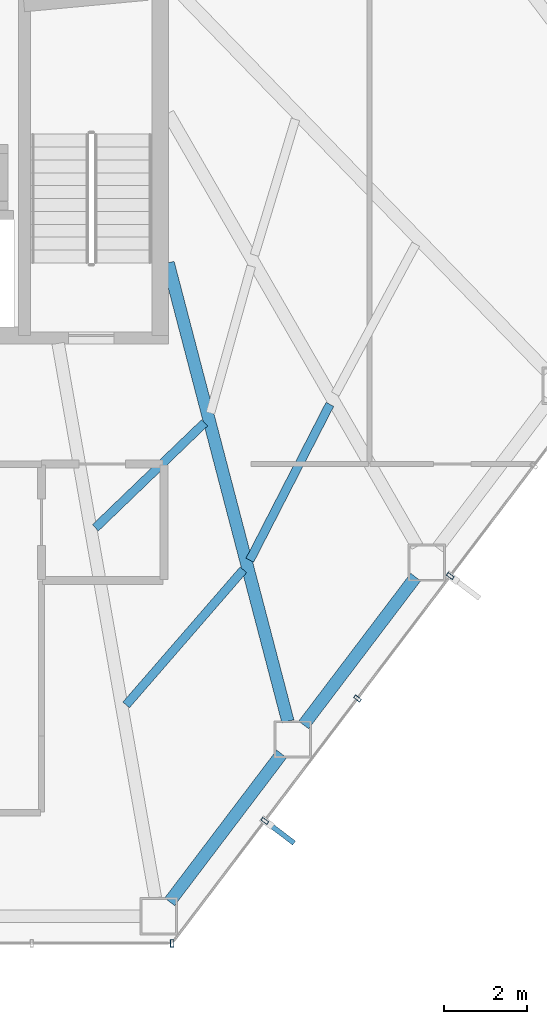
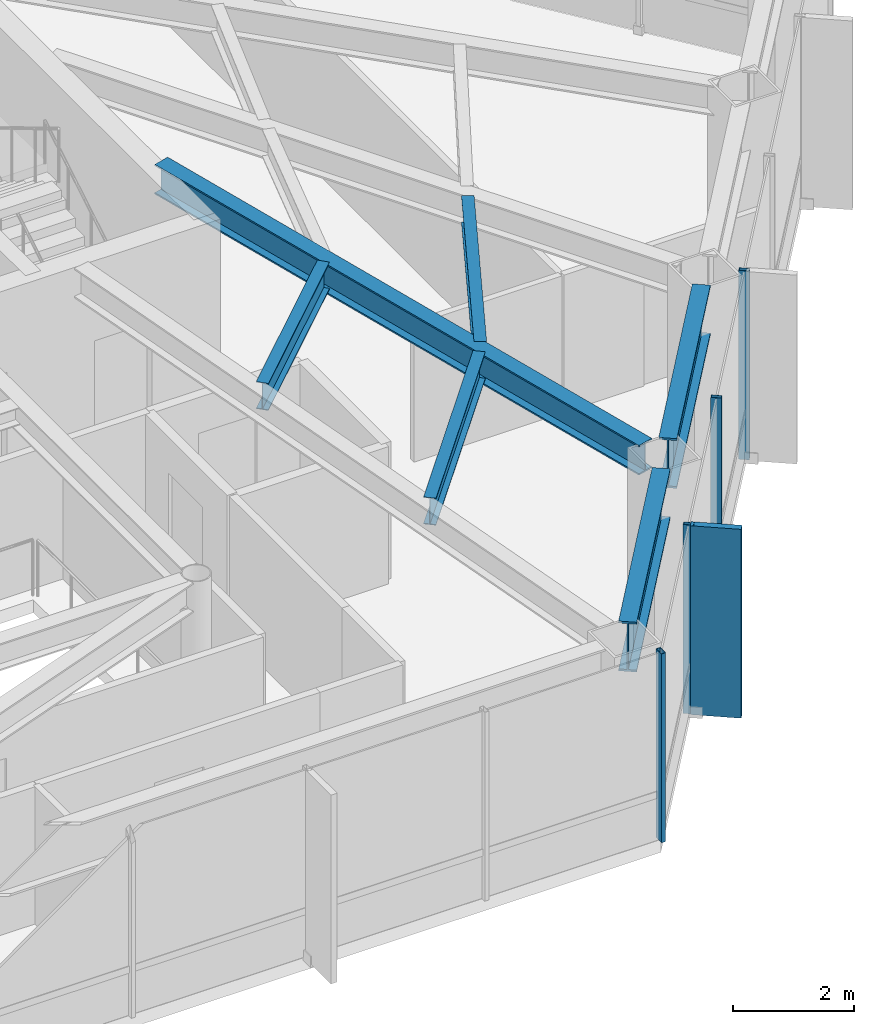
# One storey, part 14 of 24: 6 beams, 5 members, 2 elements without a shape of their own.
"""IFC4 building model written with IfcOpenShell, lengths in metres."""

from ifc_helpers import new_model, si_unit, direction, frame, origin, origin_2d, place, context, subcontext, project, spatial, rectangle, hollow_rectangle, i_section, extrude, material, layer, layer_set, material_profile, profile_set, type_object, element, aggregate, save


model = new_model("IFC4")

# Units and contexts
model_context = context("Model", 3, precision=1e-05, world=origin(), true_north=direction((0.0, 1.0)))
body_context = subcontext(model_context, "Body", "Model", "MODEL_VIEW")
ifc_project = project(units=[si_unit("LENGTHUNIT", "METRE"), si_unit("AREAUNIT", "SQUARE_METRE"), si_unit("VOLUMEUNIT", "CUBIC_METRE"), si_unit("PLANEANGLEUNIT", "RADIAN"), si_unit("MASSUNIT", "GRAM", prefix="KILO")], contexts=[model_context])

# Site, building, storey
site_placement = place(None, origin())
site = spatial("IfcSite", under=ifc_project, at=site_placement, CompositionType="ELEMENT")
building_placement = place(site_placement, origin())
building = spatial("IfcBuilding", under=site, at=building_placement, Name="Zarrinselat Tower", CompositionType="ELEMENT")
storey_placement = place(building_placement, frame((0.0, 0.0, 72.419921875)))
storey = spatial("IfcBuildingStorey", under=building, at=storey_placement, Name="L17", CompositionType="ELEMENT", Elevation=72.419921875)

# Beams
ifc_material_1 = material(Name="Steel S355J2", Category="steel")
ifc_material_profile_1 = material_profile(ifc_material_1, i_section(OverallWidth=0.300048828125, OverallDepth=0.60009765625, WebThickness=0.015380859375, FlangeThickness=0.030029296875, at=origin_2d()), Name="HEB 600")
ifc_profile_set_1 = profile_set([ifc_material_profile_1], Name="Steel S355J2")
beam_type_1 = type_object("IfcBeamType", Name="BM-HEB600", PredefinedType="BEAM", material=ifc_profile_set_1)
beam_1_placement = place(storey_placement, frame((48.449951171875, 35.0, 3.52001953125), z_axis=(0.252821432192, -0.967512957755, 0.0), x_axis=(0.967512957755, 0.252821432192, 0.0)))
element("IfcBeam", 1, at=beam_1_placement, inside=storey, type_object=beam_type_1, Name="L17 Radial Primary Girder RG12", PredefinedType="BEAM", context=body_context, shape_type="SweptSolid", body=[
    extrude(i_section(OverallWidth=0.300048828125, OverallDepth=0.60009765625, WebThickness=0.015380859375, FlangeThickness=0.030029296875, at=origin_2d()), origin(), (0.0, 0.0, 1.0), 11.4169921875),
])
ifc_material_2 = material(Name="Steel S460M", Category="steel")
ifc_material_profile_2 = material_profile(ifc_material_2, i_section(OverallWidth=0.302001953125, OverallDepth=1.008056640625, WebThickness=0.02099609375, FlangeThickness=0.0400390625, at=origin_2d()), Name="HEM 1000")
ifc_profile_set_2 = profile_set([ifc_material_profile_2], Name="Steel S460M")
beam_type_2 = type_object("IfcBeamType", Name="BM-HEM1000", PredefinedType="BEAM", material=ifc_profile_set_2)
beam_2_placement = place(storey_placement, frame((48.48681640625, 19.60400390625, 3.316162109375), z_axis=(0.603837710375, 0.797107282321, 0.0), x_axis=(-0.797107282321, 0.603837710375, 0.0)))
element("IfcBeam", 2, at=beam_2_placement, inside=storey, type_object=beam_type_2, Name="L17 Perimeter Spandrel Girder SP11", PredefinedType="BEAM", context=body_context, shape_type="SweptSolid", body=[
    extrude(i_section(OverallWidth=0.302001953125, OverallDepth=1.008056640625, WebThickness=0.02099609375, FlangeThickness=0.0400390625, at=origin_2d()), origin(), (0.0, 0.0, 1.0), 4.470458984375),
])
beam_3_placement = place(storey_placement, frame((51.715087890625, 23.86572265625, 3.316162109375), z_axis=(0.60387240762, 0.79708099671, 0.0), x_axis=(-0.79708099671, 0.60387240762, 0.0)))
element("IfcBeam", 3, at=beam_3_placement, inside=storey, type_object=beam_type_2, Name="L17 Perimeter Spandrel Girder SP12", PredefinedType="BEAM", context=body_context, shape_type="SweptSolid", body=[
    extrude(i_section(OverallWidth=0.302001953125, OverallDepth=1.008056640625, WebThickness=0.02099609375, FlangeThickness=0.0400390625, at=origin_2d()), origin(), (0.0, 0.0, 1.0), 4.470703125),
])
ifc_material_3 = material(Name="Steel S355J2", Category="steel")
ifc_material_profile_3 = material_profile(ifc_material_3, i_section(OverallWidth=0.2099609375, OverallDepth=0.550048828125, WebThickness=0.010986328125, FlangeThickness=0.01708984375, at=origin_2d()), Name="IPE 550")
ifc_profile_set_3 = profile_set([ifc_material_profile_3], Name="Steel S355J2")
beam_type_3 = type_object("IfcBeamType", Name="BM-IPE550", PredefinedType="JOIST", material=ifc_profile_set_3)
beam_4_placement = place(storey_placement, frame((47.43896484375, 24.34814453125, 3.545166015625), z_axis=(0.655286303374, 0.755380606457, 0.0), x_axis=(-0.755380606457, 0.655286303374, 0.0)))
element("IfcBeam", 4, at=beam_4_placement, inside=storey, type_object=beam_type_3, Name="L17 Composite Floor Joist 3-1", PredefinedType="JOIST", context=body_context, shape_type="SweptSolid", body=[
    extrude(i_section(OverallWidth=0.2099609375, OverallDepth=0.550048828125, WebThickness=0.010986328125, FlangeThickness=0.01708984375, at=origin_2d()), origin(), (0.0, 0.0, 1.0), 4.309814453125),
])
beam_5_placement = place(storey_placement, frame((46.697998046875, 28.61474609375, 3.545166015625), z_axis=(0.720675078689, 0.693272984442, 0.0), x_axis=(-0.693272984442, 0.720675078689, 0.0)))
element("IfcBeam", 5, at=beam_5_placement, inside=storey, type_object=beam_type_3, Name="L17 Composite Floor Joist 3-2", PredefinedType="JOIST", context=body_context, shape_type="SweptSolid", body=[
    extrude(i_section(OverallWidth=0.2099609375, OverallDepth=0.550048828125, WebThickness=0.010986328125, FlangeThickness=0.01708984375, at=origin_2d()), origin(), (0.0, 0.0, 1.0), 3.65283203125),
])
beam_6_placement = place(storey_placement, frame((50.4189453125, 27.833984375, 3.545166015625), z_axis=(0.456782434054, 0.889578443949, 0.0), x_axis=(-0.889578443949, 0.456782434054, 0.0)))
element("IfcBeam", 6, at=beam_6_placement, inside=storey, type_object=beam_type_3, Name="L17 Composite Floor Joist 4-1", PredefinedType="JOIST", context=body_context, shape_type="SweptSolid", body=[
    extrude(i_section(OverallWidth=0.2099609375, OverallDepth=0.550048828125, WebThickness=0.010986328125, FlangeThickness=0.01708984375, at=origin_2d()), origin(), (0.0, 0.0, 1.0), 4.223876953125),
])

# Curtain wall, member
ifc_material_4 = material(Name="Extruded Aluminium Alloy EN AW-6063 T6", Category="aluminium")
ifc_layer = layer(ifc_material_4, 0.18505859375)
ifc_layer_set = layer_set([ifc_layer], Name="Extruded Aluminium Alloy EN AW-6063 T6")
curtain_wall_type = type_object("IfcCurtainWallType", Name="CWS-OFF", PredefinedType="NOTDEFINED", material=ifc_layer_set)
curtain_wall_1_placement = place(storey_placement, origin())
curtain_wall_1 = element("IfcCurtainWall", 7, at=curtain_wall_1_placement, inside=storey, type_object=curtain_wall_type, Name="L17 Unitised Curtain Wall CW-L17-E04", PredefinedType="NOTDEFINED")
ifc_material_5 = material(Name="Extruded Aluminium Alloy EN AW-6063 T6", Category="aluminium")
ifc_material_profile_4 = material_profile(ifc_material_5, hollow_rectangle(XDim=0.080078125, YDim=0.179931640625, WallThickness=0.0048828125, at=origin_2d()), Name="RHS 180x80x5")
ifc_profile_set_4 = profile_set([ifc_material_profile_4], Name="Extruded Aluminium Alloy EN AW-6063 T6")
member_type_1 = type_object("IfcMemberType", Name="MEM-CW-MUL", PredefinedType="MULLION", material=ifc_profile_set_4)
member_1_placement = place(storey_placement, frame((48.545166015625, 18.60498046875, 0.0), z_axis=(0.0, 0.0, 1.0), x_axis=(1.0, 0.0, 0.0)))
member_1 = element("IfcMember", 8, at=member_1_placement, type_object=member_type_1, Name="CW-L17-E04 Mullion 7", PredefinedType="MULLION", context=body_context, shape_type="SweptSolid", body=[
    extrude(hollow_rectangle(XDim=0.080078125, YDim=0.179931640625, WallThickness=0.0048828125, at=origin_2d()), origin(), (0.0, 0.0, 1.0), 3.820068359375),
])
aggregate(curtain_wall_1, [member_1])

# Curtain wall, members
curtain_wall_2_placement = place(storey_placement, origin())
curtain_wall_2 = element("IfcCurtainWall", 9, at=curtain_wall_2_placement, inside=storey, type_object=curtain_wall_type, Name="L17 Unitised Curtain Wall CW-L17-E05", PredefinedType="NOTDEFINED")
member_2_placement = place(storey_placement, frame((50.779541015625, 21.55419921875, 0.0), z_axis=(0.0, 0.0, 1.0), x_axis=(0.603855086386, 0.797094119063, 0.0)))
member_2 = element("IfcMember", 10, at=member_2_placement, type_object=member_type_1, Name="CW-L17-E05 Mullion 1", PredefinedType="MULLION", context=body_context, shape_type="SweptSolid", body=[
    extrude(hollow_rectangle(XDim=0.080078125, YDim=0.179931640625, WallThickness=0.0048828125, at=origin_2d()), origin(), (0.0, 0.0, 1.0), 3.820068359375),
])
member_3_placement = place(storey_placement, frame((53.013916015625, 24.50390625, 0.0), z_axis=(0.0, 0.0, 1.0), x_axis=(0.603855086386, 0.797094119063, 0.0)))
member_3 = element("IfcMember", 11, at=member_3_placement, type_object=member_type_1, Name="CW-L17-E05 Mullion 2", PredefinedType="MULLION", context=body_context, shape_type="SweptSolid", body=[
    extrude(hollow_rectangle(XDim=0.080078125, YDim=0.179931640625, WallThickness=0.0048828125, at=origin_2d()), origin(), (0.0, 0.0, 1.0), 3.820068359375),
])
member_4_placement = place(storey_placement, frame((55.24853515625, 27.453369140625, 0.0), z_axis=(0.0, 0.0, 1.0), x_axis=(0.603855086386, 0.797094119063, 0.0)))
member_4 = element("IfcMember", 12, at=member_4_placement, type_object=member_type_1, Name="CW-L17-E05 Mullion 3", PredefinedType="MULLION", context=body_context, shape_type="SweptSolid", body=[
    extrude(hollow_rectangle(XDim=0.080078125, YDim=0.179931640625, WallThickness=0.0048828125, at=origin_2d()), origin(), (0.0, 0.0, 1.0), 3.820068359375),
])
ifc_material_6 = material(Name="Honed Cream Travertine Stone", Category="masonry")
ifc_material_profile_5 = material_profile(ifc_material_6, rectangle(XDim=0.1201171875, YDim=0.85009765625, at=origin_2d()), Name="FIN 850x120")
ifc_profile_set_5 = profile_set([ifc_material_profile_5], Name="Honed Cream Travertine Stone")
member_type_2 = type_object("IfcMemberType", Name="MEM-STONE-FIN", PredefinedType="USERDEFINED", material=ifc_profile_set_5)
member_5_placement = place(storey_placement, frame((51.146240234375, 21.276611328125, 0.0), z_axis=(0.0, 0.0, 1.0), x_axis=(-0.603855086386, -0.797094119063, 0.0)))
member_5 = element("IfcMember", 13, at=member_5_placement, type_object=member_type_2, Name="L17 Stone Shading Fin CW-L17-E05-01", ObjectType="FIN", PredefinedType="USERDEFINED", context=body_context, shape_type="SweptSolid", body=[
    extrude(rectangle(XDim=0.1201171875, YDim=0.85009765625, at=origin_2d()), origin(), (0.0, 0.0, 1.0), 3.820068359375),
])
aggregate(curtain_wall_2, [member_2, member_5, member_3, member_4])

save(model, "model.ifc")
